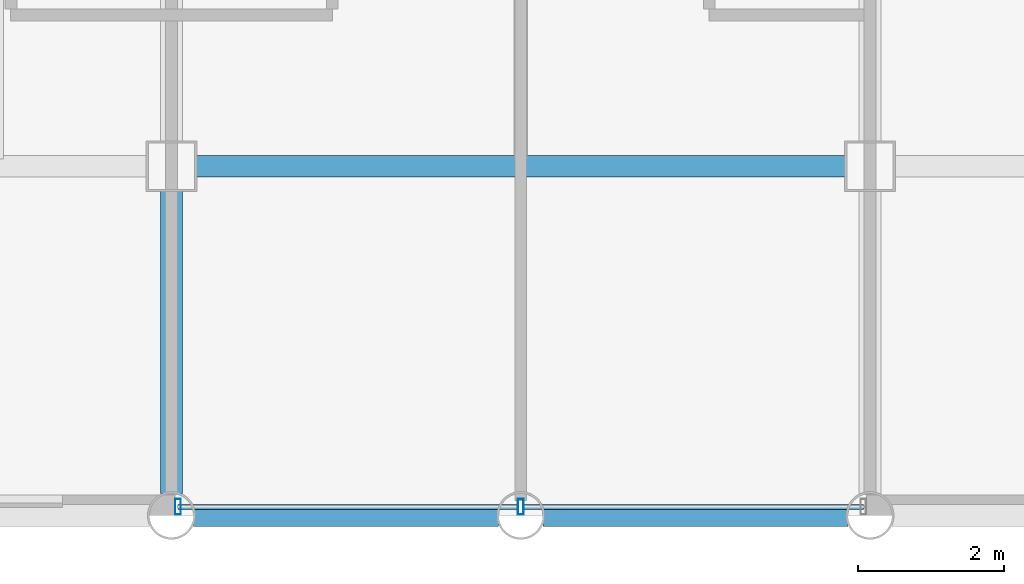
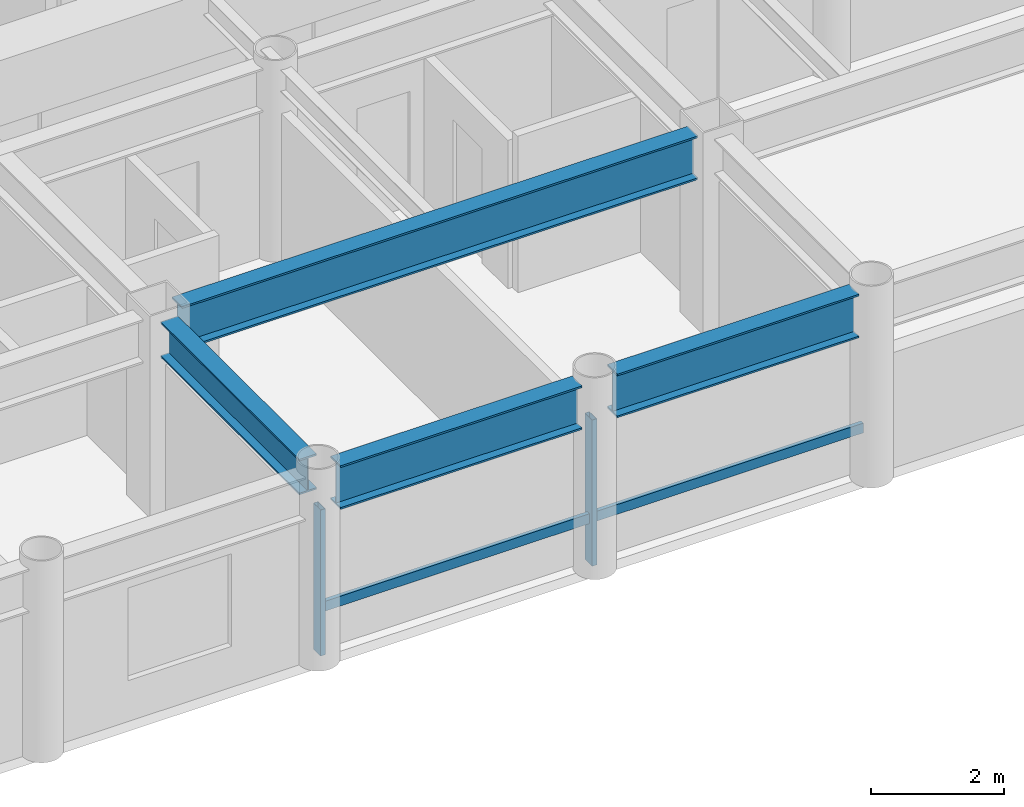
# One storey, part 2 of 22: 4 beams, 4 members, 1 element without a shape of its own.
"""IFC4 building model written with IfcOpenShell, lengths in metres."""

from ifc_helpers import new_model, si_unit, direction, frame, origin, origin_2d, place, context, subcontext, project, spatial, hollow_rectangle, i_section, extrude, material, layer, layer_set, material_profile, profile_set, type_object, element, aggregate, save


model = new_model("IFC4")

# Units and contexts
model_context = context("Model", 3, precision=1e-05, world=origin(), true_north=direction((0.0, 1.0)))
body_context = subcontext(model_context, "Body", "Model", "MODEL_VIEW")
ifc_project = project(units=[si_unit("LENGTHUNIT", "METRE"), si_unit("AREAUNIT", "SQUARE_METRE"), si_unit("VOLUMEUNIT", "CUBIC_METRE"), si_unit("PLANEANGLEUNIT", "RADIAN"), si_unit("MASSUNIT", "GRAM", prefix="KILO")], contexts=[model_context])

# Site, building, storey
site_placement = place(None, origin())
site = spatial("IfcSite", under=ifc_project, at=site_placement, CompositionType="ELEMENT")
building_placement = place(site_placement, origin())
building = spatial("IfcBuilding", under=site, at=building_placement, Name="Kallvorn Hotel Tower", CompositionType="ELEMENT")
storey_placement = place(building_placement, frame((0.0, 0.0, 110.0)))
storey = spatial("IfcBuildingStorey", under=building, at=storey_placement, Name="L26", CompositionType="ELEMENT", Elevation=110.0)

# Beams
ifc_material_1 = material(Name="Structural steel S355JR", Category="steel")
ifc_material_profile_1 = material_profile(ifc_material_1, i_section(OverallWidth=0.300048828125, OverallDepth=0.64990234375, WebThickness=0.01611328125, FlangeThickness=0.031005859375, at=origin_2d()), Name="HE 650 B")
ifc_profile_set_1 = profile_set([ifc_material_profile_1], Name="Structural steel S355JR")
beam_type_1 = type_object("IfcBeamType", Name="BM_HE650B", PredefinedType="BEAM", material=ifc_profile_set_1)
beam_1_placement = place(storey_placement, frame((-4.800048828125, -18.89501953125, 3.195068359375), z_axis=(0.0, 1.0, 0.0), x_axis=(-1.0, 0.0, 0.0)))
element("IfcBeam", 1, at=beam_1_placement, inside=storey, type_object=beam_type_1, Name="L27 Primary Y-Girder 105", PredefinedType="BEAM", context=body_context, shape_type="SweptSolid", body=[
    extrude(i_section(OverallWidth=0.300048828125, OverallDepth=0.64990234375, WebThickness=0.01611328125, FlangeThickness=0.031005859375, at=origin_2d()), origin(), (0.0, 0.0, 1.0), 4.169921875),
])
ifc_material_2 = material(Name="Structural steel S355JR", Category="steel")
ifc_material_profile_2 = material_profile(ifc_material_2, i_section(OverallWidth=0.300048828125, OverallDepth=0.800048828125, WebThickness=0.017578125, FlangeThickness=0.032958984375, at=origin_2d()), Name="HE 800 B")
ifc_profile_set_2 = profile_set([ifc_material_profile_2], Name="Structural steel S355JR")
beam_type_2 = type_object("IfcBeamType", Name="BM_HE800B", PredefinedType="BEAM", material=ifc_profile_set_2)
for number, where, z_axis, x_axis, name in (
    (2, (-4.4951171875, -19.199951171875, 3.1201171875), (1.0, 0.0, 0.0), (0.0, 1.0, 0.0), "L27 Primary X-Girder 06"),
    (3, (0.304931640625, -19.199951171875, 3.1201171875), (1.0, 0.0, 0.0), (0.0, 1.0, 0.0), "L27 Primary X-Girder 07"),
):
    element("IfcBeam", number, at=place(storey_placement, frame(where, z_axis=z_axis, x_axis=x_axis)), inside=storey, type_object=beam_type_2, Name=name, PredefinedType="BEAM", context=body_context, shape_type="SweptSolid", body=[
        extrude(i_section(OverallWidth=0.300048828125, OverallDepth=0.800048828125, WebThickness=0.017578125, FlangeThickness=0.032958984375, at=origin_2d()), origin(), (0.0, 0.0, 1.0), 4.190185546875),
    ])
beam_2_placement = place(storey_placement, frame((-4.47509765625, -14.39990234375, 3.1201171875), z_axis=(1.0, 0.0, 0.0), x_axis=(0.0, 1.0, 0.0)))
element("IfcBeam", 4, at=beam_2_placement, inside=storey, type_object=beam_type_2, Name="L27 Primary X-Girder 17", PredefinedType="BEAM", context=body_context, shape_type="SweptSolid", body=[
    extrude(i_section(OverallWidth=0.300048828125, OverallDepth=0.800048828125, WebThickness=0.017578125, FlangeThickness=0.032958984375, at=origin_2d()), origin(), (0.0, 0.0, 1.0), 8.9501953125),
])

# Curtain wall, members
ifc_material_3 = material(Name="Thermally broken black-anodised aluminium AA 6063-T6", Category="aluminium")
ifc_layer = layer(ifc_material_3, 0.199951171875)
ifc_layer_set = layer_set([ifc_layer], Name="CW_SYS_3_HOTEL_LOW")
curtain_wall_type = type_object("IfcCurtainWallType", Name="CW_SYS_3_HOTEL_LOW", PredefinedType="USERDEFINED", material=ifc_layer_set)
curtain_wall_placement = place(storey_placement, origin())
curtain_wall = element("IfcCurtainWall", 5, at=curtain_wall_placement, inside=storey, type_object=curtain_wall_type, Name="L26 Dark-Glass Curtain Wall CW-L26-SC", ObjectType="UNITISED CURTAIN WALL", PredefinedType="USERDEFINED")
ifc_material_4 = material(Name="Thermally broken black-anodised aluminium AA 6063-T6", Category="aluminium")
ifc_material_profile_3 = material_profile(ifc_material_4, hollow_rectangle(XDim=0.080078125, YDim=0.219970703125, WallThickness=0.0048828125, at=origin_2d()), Name="MUL 220x80")
ifc_profile_set_3 = profile_set([ifc_material_profile_3], Name="Thermally broken black-anodised aluminium AA 6063-T6")
member_type_1 = type_object("IfcMemberType", Name="CW_MULLION_220x80", PredefinedType="MULLION", material=ifc_profile_set_3)
member_1_placement = place(storey_placement, frame((-4.7099609375, -19.080078125, 0.02001953125), z_axis=(0.0, 0.0, 1.0), x_axis=(1.0, 0.0, 0.0)))
member_1 = element("IfcMember", 6, at=member_1_placement, type_object=member_type_1, Name="CW-L26-SC Mullion 00", PredefinedType="MULLION", context=body_context, shape_type="SweptSolid", body=[
    extrude(hollow_rectangle(XDim=0.080078125, YDim=0.219970703125, WallThickness=0.0048828125, at=origin_2d()), origin(), (0.0, 0.0, 1.0), 2.679931640625),
])
member_2_placement = place(storey_placement, frame((0.0, -19.080078125, 0.02001953125), z_axis=(0.0, 0.0, 1.0), x_axis=(1.0, 0.0, 0.0)))
member_2 = element("IfcMember", 7, at=member_2_placement, type_object=member_type_1, Name="CW-L26-SC Mullion 01", PredefinedType="MULLION", context=body_context, shape_type="SweptSolid", body=[
    extrude(hollow_rectangle(XDim=0.080078125, YDim=0.219970703125, WallThickness=0.0048828125, at=origin_2d()), origin(), (0.0, 0.0, 1.0), 2.679931640625),
])
ifc_material_5 = material(Name="Thermally broken black-anodised aluminium AA 6063-T6", Category="aluminium")
ifc_material_profile_4 = material_profile(ifc_material_5, hollow_rectangle(XDim=0.070068359375, YDim=0.179931640625, WallThickness=0.00390625, at=origin_2d()), Name="TRN 180x70")
ifc_profile_set_4 = profile_set([ifc_material_profile_4], Name="Thermally broken black-anodised aluminium AA 6063-T6")
member_type_2 = type_object("IfcMemberType", Name="CW_TRANSOM_180x70", PredefinedType="USERDEFINED", material=ifc_profile_set_4)
member_3_placement = place(storey_placement, frame((-4.7099609375, -19.080078125, 0.85009765625), z_axis=(1.0, 0.0, 0.0), x_axis=(0.0, 1.0, 0.0)))
member_3 = element("IfcMember", 8, at=member_3_placement, type_object=member_type_2, Name="CW-L26-SC Transom 00M", ObjectType="TRANSOM", PredefinedType="USERDEFINED", context=body_context, shape_type="SweptSolid", body=[
    extrude(hollow_rectangle(XDim=0.070068359375, YDim=0.179931640625, WallThickness=0.00390625, at=origin_2d()), origin(), (0.0, 0.0, 1.0), 4.669921875),
])
member_4_placement = place(storey_placement, frame((0.0400390625, -19.080078125, 0.85009765625), z_axis=(1.0, 0.0, 0.0), x_axis=(0.0, 1.0, 0.0)))
member_4 = element("IfcMember", 9, at=member_4_placement, type_object=member_type_2, Name="CW-L26-SC Transom 01M", ObjectType="TRANSOM", PredefinedType="USERDEFINED", context=body_context, shape_type="SweptSolid", body=[
    extrude(hollow_rectangle(XDim=0.070068359375, YDim=0.179931640625, WallThickness=0.00390625, at=origin_2d()), origin(), (0.0, 0.0, 1.0), 4.669921875),
])
aggregate(curtain_wall, [member_1, member_2, member_3, member_4])

save(model, "model.ifc")
